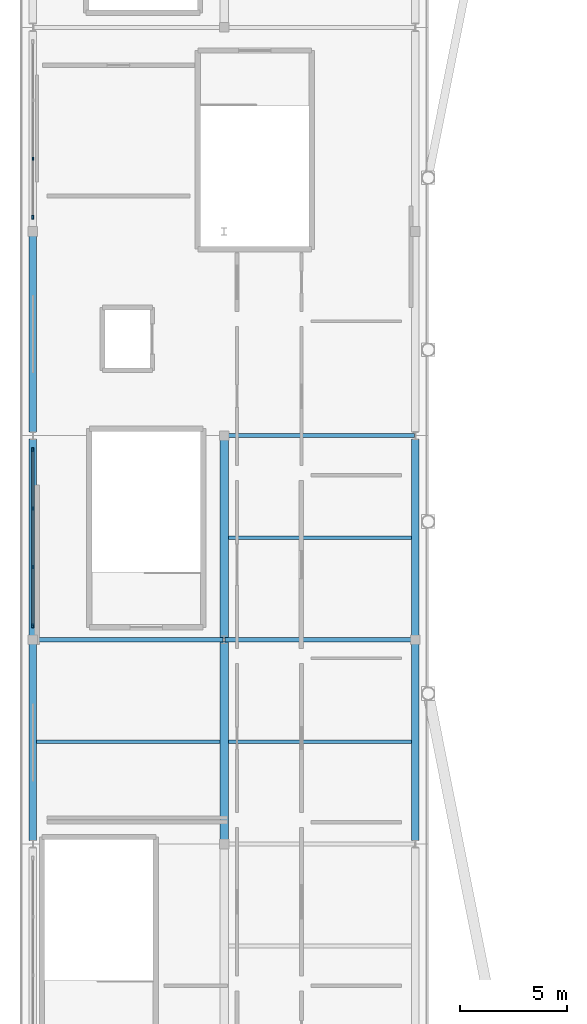
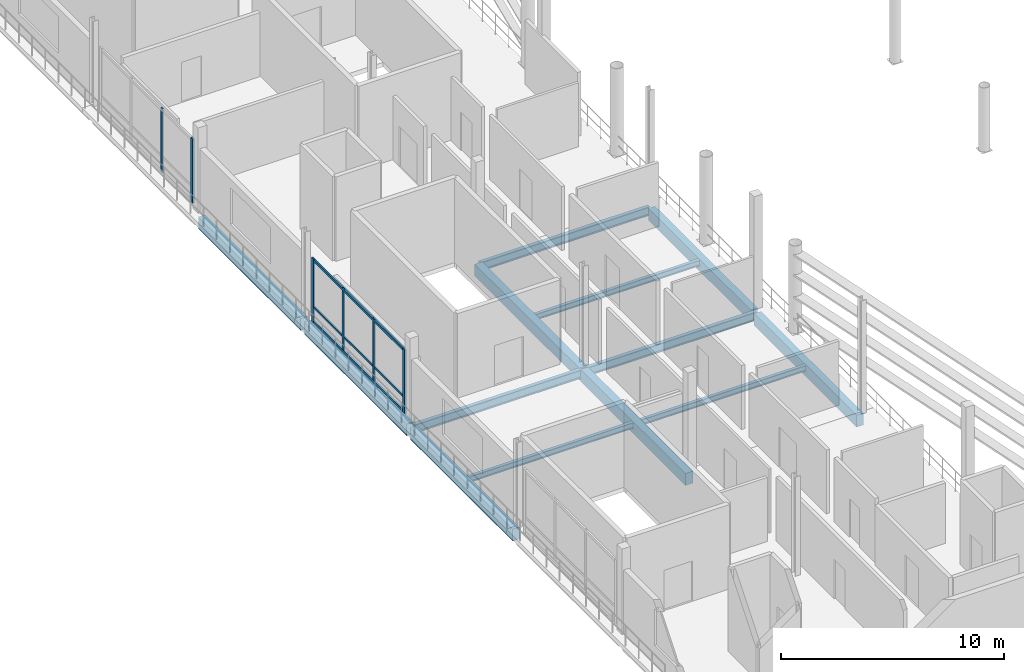
# One storey, part 17 of 29: 13 beams, 9 members, 2 elements without a shape of their own.
"""IFC4 building model written with IfcOpenShell, lengths in metres."""

from ifc_helpers import new_model, si_unit, direction, frame, origin, origin_2d, place, context, subcontext, project, spatial, rectangle, i_section, extrude, material, material_profile, profile_set, type_object, element, aggregate, save


model = new_model("IFC4")

# Units and contexts
model_context = context("Model", 3, precision=1e-05, world=origin(), true_north=direction((0.0, 1.0)))
body_context = subcontext(model_context, "Body", "Model", "MODEL_VIEW")
ifc_project = project(units=[si_unit("LENGTHUNIT", "METRE"), si_unit("AREAUNIT", "SQUARE_METRE"), si_unit("VOLUMEUNIT", "CUBIC_METRE"), si_unit("PLANEANGLEUNIT", "RADIAN"), si_unit("MASSUNIT", "GRAM", prefix="KILO")], contexts=[model_context])

# Site, building, storey
site_placement = place(None, origin())
site = spatial("IfcSite", under=ifc_project, at=site_placement, CompositionType="ELEMENT")
building_placement = place(site_placement, origin())
building = spatial("IfcBuilding", under=site, at=building_placement, Name="Candeia Ridge Stadium", CompositionType="ELEMENT")
storey_placement = place(building_placement, frame((0.0, 0.0, 27.0)))
storey = spatial("IfcBuildingStorey", under=building, at=storey_placement, Name="L05", CompositionType="ELEMENT", Elevation=27.0)

# Curtain wall, members
ifc_material_1 = material(Name="Aluminium Anodized Warm Bronze", Category="aluminium")
curtain_wall_type = type_object("IfcCurtainWallType", Name="West Pavilion Hospitality Curtain Wall", PredefinedType="NOTDEFINED", material=ifc_material_1)
curtain_wall_1_placement = place(storey_placement, origin())
curtain_wall_1 = element("IfcCurtainWall", 1, at=curtain_wall_1_placement, inside=storey, type_object=curtain_wall_type, Name="Unitised curtain wall CW-WNG-L05-099", PredefinedType="NOTDEFINED")
ifc_material_profile_1 = material_profile(ifc_material_1, rectangle(XDim=0.090087890625, YDim=0.179931640625, at=origin_2d()), Name="CWM-90x180", Category="aluminium")
ifc_profile_set_1 = profile_set([ifc_material_profile_1], Name="Aluminium Anodized Warm Bronze")
member_type_1 = type_object("IfcMemberType", Name="Curtain Wall Primary Mullion 90x180", PredefinedType="MULLION", material=ifc_profile_set_1)
member_1_placement = place(storey_placement, frame((0.60009765625, 74.159912109375, 0.0), z_axis=(0.0, 0.0, 1.0), x_axis=(1.0, 0.0, 0.0)))
member_1 = element("IfcMember", 2, at=member_1_placement, type_object=member_type_1, Name="Curtain wall mullion CW-WNG-L05-099-M0", PredefinedType="MULLION", context=body_context, shape_type="SweptSolid", body=[
    extrude(rectangle(XDim=0.090087890625, YDim=0.179931640625, at=origin_2d()), origin(), (0.0, 0.0, 1.0), 3.5),
])
member_2_placement = place(storey_placement, frame((0.60009765625, 82.340087890625, 0.0), z_axis=(0.0, 0.0, 1.0), x_axis=(1.0, 0.0, 0.0)))
member_2 = element("IfcMember", 3, at=member_2_placement, type_object=member_type_1, Name="Curtain wall mullion CW-WNG-L05-099-M3", PredefinedType="MULLION", context=body_context, shape_type="SweptSolid", body=[
    extrude(rectangle(XDim=0.090087890625, YDim=0.179931640625, at=origin_2d()), origin(), (0.0, 0.0, 1.0), 3.5),
])

# Curtain wall, member
curtain_wall_2_placement = place(storey_placement, origin())
curtain_wall_2 = element("IfcCurtainWall", 4, at=curtain_wall_2_placement, inside=storey, type_object=curtain_wall_type, Name="Unitised curtain wall CW-WNG-L05-100", PredefinedType="NOTDEFINED")
member_3_placement = place(storey_placement, frame((0.60009765625, 93.159912109375, 0.0), z_axis=(0.0, 0.0, 1.0), x_axis=(1.0, 0.0, 0.0)))
member_3 = element("IfcMember", 5, at=member_3_placement, type_object=member_type_1, Name="Curtain wall mullion CW-WNG-L05-100-M0", PredefinedType="MULLION", context=body_context, shape_type="SweptSolid", body=[
    extrude(rectangle(XDim=0.090087890625, YDim=0.179931640625, at=origin_2d()), origin(), (0.0, 0.0, 1.0), 3.5),
])

# Member
ifc_material_profile_2 = material_profile(ifc_material_1, rectangle(XDim=0.074951171875, YDim=0.14990234375, at=origin_2d()), Name="CWM-75x150", Category="aluminium")
ifc_profile_set_2 = profile_set([ifc_material_profile_2], Name="Aluminium Anodized Warm Bronze")
member_type_2 = type_object("IfcMemberType", Name="Curtain Wall Secondary Mullion 75x150", PredefinedType="MULLION", material=ifc_profile_set_2)
member_4_placement = place(storey_placement, frame((0.60009765625, 76.88671875, 0.0), z_axis=(0.0, 0.0, 1.0), x_axis=(1.0, 0.0, 0.0)))
member_4 = element("IfcMember", 6, at=member_4_placement, type_object=member_type_2, Name="Curtain wall mullion CW-WNG-L05-099-M1", PredefinedType="MULLION", context=body_context, shape_type="SweptSolid", body=[
    extrude(rectangle(XDim=0.074951171875, YDim=0.14990234375, at=origin_2d()), origin(), (0.0, 0.0, 1.0), 3.5),
])

member_5_placement = place(storey_placement, frame((0.60009765625, 79.61328125, 0.0), z_axis=(0.0, 0.0, 1.0), x_axis=(1.0, 0.0, 0.0)))
member_5 = element("IfcMember", 7, at=member_5_placement, type_object=member_type_2, Name="Curtain wall mullion CW-WNG-L05-099-M2", PredefinedType="MULLION", context=body_context, shape_type="SweptSolid", body=[
    extrude(rectangle(XDim=0.074951171875, YDim=0.14990234375, at=origin_2d()), origin(), (0.0, 0.0, 1.0), 3.5),
])

member_6_placement = place(storey_placement, frame((0.60009765625, 95.88671875, 0.0), z_axis=(0.0, 0.0, 1.0), x_axis=(1.0, 0.0, 0.0)))
member_6 = element("IfcMember", 8, at=member_6_placement, type_object=member_type_2, Name="Curtain wall mullion CW-WNG-L05-100-M1", PredefinedType="MULLION", context=body_context, shape_type="SweptSolid", body=[
    extrude(rectangle(XDim=0.074951171875, YDim=0.14990234375, at=origin_2d()), origin(), (0.0, 0.0, 1.0), 3.5),
])

aggregate(curtain_wall_2, [member_3, member_6])

ifc_material_profile_3 = material_profile(ifc_material_1, rectangle(XDim=0.074951171875, YDim=0.110107421875, at=origin_2d()), Name="CWT-75x110", Category="aluminium")
ifc_profile_set_3 = profile_set([ifc_material_profile_3], Name="Aluminium Anodized Warm Bronze")
member_type_3 = type_object("IfcMemberType", Name="Curtain Wall Secondary Transom 75x110", PredefinedType="USERDEFINED", material=ifc_profile_set_3)
member_7_placement = place(storey_placement, frame((0.60009765625, 74.159912109375, 0.875), z_axis=(0.0, 1.0, 0.0), x_axis=(-1.0, 0.0, 0.0)))
member_7 = element("IfcMember", 9, at=member_7_placement, type_object=member_type_3, Name="Curtain wall transom CW-WNG-L05-099-T1", ObjectType="TRANSOM", PredefinedType="USERDEFINED", context=body_context, shape_type="SweptSolid", body=[
    extrude(rectangle(XDim=0.074951171875, YDim=0.110107421875, at=origin_2d()), origin(), (0.0, 0.0, 1.0), 8.18017578125),
])

ifc_material_profile_4 = material_profile(ifc_material_1, rectangle(XDim=0.090087890625, YDim=0.139892578125, at=origin_2d()), Name="CWT-90x140", Category="aluminium")
ifc_profile_set_4 = profile_set([ifc_material_profile_4], Name="Aluminium Anodized Warm Bronze")
member_type_4 = type_object("IfcMemberType", Name="Curtain Wall Transom 90x140", PredefinedType="USERDEFINED", material=ifc_profile_set_4)
member_8_placement = place(storey_placement, frame((0.60009765625, 74.159912109375, 0.070068359375), z_axis=(0.0, 1.0, 0.0), x_axis=(-1.0, 0.0, 0.0)))
member_8 = element("IfcMember", 10, at=member_8_placement, type_object=member_type_4, Name="Curtain wall transom CW-WNG-L05-099-T0", ObjectType="TRANSOM", PredefinedType="USERDEFINED", context=body_context, shape_type="SweptSolid", body=[
    extrude(rectangle(XDim=0.090087890625, YDim=0.139892578125, at=origin_2d()), origin(), (0.0, 0.0, 1.0), 8.18017578125),
])

member_9_placement = place(storey_placement, frame((0.60009765625, 74.159912109375, 3.429931640625), z_axis=(0.0, 1.0, 0.0), x_axis=(-1.0, 0.0, 0.0)))
member_9 = element("IfcMember", 11, at=member_9_placement, type_object=member_type_4, Name="Curtain wall transom CW-WNG-L05-099-T2", ObjectType="TRANSOM", PredefinedType="USERDEFINED", context=body_context, shape_type="SweptSolid", body=[
    extrude(rectangle(XDim=0.090087890625, YDim=0.139892578125, at=origin_2d()), origin(), (0.0, 0.0, 1.0), 8.18017578125),
])

aggregate(curtain_wall_1, [member_1, member_4, member_5, member_2, member_8, member_7, member_9])

# Beams
ifc_material_2 = material(Name="Steel ASTM A572 Grade 50", Category="steel")
ifc_material_profile_5 = material_profile(ifc_material_2, i_section(OverallWidth=0.194091796875, OverallDepth=0.468994140625, WebThickness=0.0126953125, FlangeThickness=0.0205078125, FilletRadius=0.012939453125, at=origin_2d()), Name="W460x106", Category="steel")
ifc_profile_set_5 = profile_set([ifc_material_profile_5], Name="Steel ASTM A572 Grade 50")
beam_type_1 = type_object("IfcBeamType", Name="Gondola Primary Girder W460x106", PredefinedType="BEAM", material=ifc_profile_set_5)
for number, where, z_axis, x_axis, name in (
    (12, (0.64990234375, 73.5, -0.484619140625), (1.0, 0.0, 0.0), (0.0, 1.0, 0.0), "Structural girder BM-L05-1392"),
    (13, (9.550048828125, 73.5, -0.484619140625), (1.0, 0.0, 0.0), (0.0, 1.0, 0.0), "Structural girder BM-L05-1408"),
    (14, (9.550048828125, 83.0, -0.484619140625), (1.0, 0.0, 0.0), (0.0, 1.0, 0.0), "Structural girder BM-L05-1410"),
):
    element("IfcBeam", number, at=place(storey_placement, frame(where, z_axis=z_axis, x_axis=x_axis)), inside=storey, type_object=beam_type_1, Name=name, PredefinedType="BEAM", context=body_context, shape_type="SweptSolid", body=[
        extrude(i_section(OverallWidth=0.194091796875, OverallDepth=0.468994140625, WebThickness=0.0126953125, FlangeThickness=0.0205078125, FilletRadius=0.012939453125, at=origin_2d()), origin(), (0.0, 0.0, 1.0), 8.800048828125),
    ])
ifc_material_profile_6 = material_profile(ifc_material_2, i_section(OverallWidth=0.1669921875, OverallDepth=0.31689453125, WebThickness=0.007568359375, FlangeThickness=0.01318359375, FilletRadius=0.011962890625, at=origin_2d()), Name="W310x52", Category="steel")
ifc_profile_set_6 = profile_set([ifc_material_profile_6], Name="Steel ASTM A572 Grade 50")
beam_type_2 = type_object("IfcBeamType", Name="Pavilion Secondary Joist W310x52", PredefinedType="JOIST", material=ifc_profile_set_6)
for number, where, z_axis, x_axis, name in (
    (15, (0.7744140625, 68.75, -0.408447265625), (1.0, 0.0, 0.0), (0.0, 1.0, 0.0), "Wing secondary joist BM-L05-1391"),
    (16, (9.699462890625, 68.75, -0.408447265625), (1.0, 0.0, 0.0), (0.0, 1.0, 0.0), "Wing secondary joist BM-L05-1407"),
    (17, (9.699462890625, 78.25, -0.408447265625), (1.0, 0.0, 0.0), (0.0, 1.0, 0.0), "Wing secondary joist BM-L05-1409"),
):
    element("IfcBeam", number, at=place(storey_placement, frame(where, z_axis=z_axis, x_axis=x_axis)), inside=storey, type_object=beam_type_2, Name=name, PredefinedType="JOIST", context=body_context, shape_type="SweptSolid", body=[
        extrude(i_section(OverallWidth=0.1669921875, OverallDepth=0.31689453125, WebThickness=0.007568359375, FlangeThickness=0.01318359375, FilletRadius=0.011962890625, at=origin_2d()), origin(), (0.0, 0.0, 1.0), 8.526123046875),
    ])
ifc_material_3 = material(Name="Concrete C40/50", Category="concrete")
ifc_material_profile_7 = material_profile(ifc_material_3, rectangle(XDim=0.35009765625, YDim=0.64990234375, at=origin_2d()), Name="RC350x650", Category="concrete")
ifc_profile_set_7 = profile_set([ifc_material_profile_7], Name="Concrete C40/50")
beam_type_3 = type_object("IfcBeamType", Name="Spandrel Beam RC350x650", PredefinedType="SPANDREL", material=ifc_profile_set_7)
for number, where, z_axis, x_axis, name in (
    (18, (0.60009765625, 64.159912109375, -0.574951171875), (0.0, 1.0, 0.0), (-1.0, 0.0, 0.0), "Structural girder BM-L05-1357"),
    (19, (0.60009765625, 73.659912109375, -0.574951171875), (0.0, 1.0, 0.0), (-1.0, 0.0, 0.0), "Structural girder BM-L05-1358"),
    (20, (0.60009765625, 83.159912109375, -0.574951171875), (0.0, 1.0, 0.0), (-1.0, 0.0, 0.0), "Structural girder BM-L05-1359"),
    (21, (18.39990234375, 64.159912109375, -0.574951171875), (0.0, 1.0, 0.0), (-1.0, 0.0, 0.0), "Structural girder BM-L05-1378"),
    (22, (18.39990234375, 73.659912109375, -0.574951171875), (0.0, 1.0, 0.0), (-1.0, 0.0, 0.0), "Structural girder BM-L05-1379"),
):
    element("IfcBeam", number, at=place(storey_placement, frame(where, z_axis=z_axis, x_axis=x_axis)), inside=storey, type_object=beam_type_3, Name=name, PredefinedType="SPANDREL", context=body_context, shape_type="SweptSolid", body=[
        extrude(rectangle(XDim=0.35009765625, YDim=0.64990234375, at=origin_2d()), origin(), (0.0, 0.0, 1.0), 9.18017578125),
    ])
ifc_material_profile_8 = material_profile(ifc_material_3, rectangle(XDim=0.39990234375, YDim=0.64990234375, at=origin_2d()), Name="RC400x650", Category="concrete")
ifc_profile_set_8 = profile_set([ifc_material_profile_8], Name="Concrete C40/50")
beam_type_4 = type_object("IfcBeamType", Name="Wing Primary Girder RC400x650", PredefinedType="BEAM", material=ifc_profile_set_8)
for number, where, z_axis, x_axis, name in (
    (23, (9.5, 64.050048828125, -0.574951171875), (0.0, 1.0, 0.0), (-1.0, 0.0, 0.0), "Structural girder BM-L05-1369"),
    (24, (9.5, 73.550048828125, -0.574951171875), (0.0, 1.0, 0.0), (-1.0, 0.0, 0.0), "Structural girder BM-L05-1370"),
):
    element("IfcBeam", number, at=place(storey_placement, frame(where, z_axis=z_axis, x_axis=x_axis)), inside=storey, type_object=beam_type_4, Name=name, PredefinedType="BEAM", context=body_context, shape_type="SweptSolid", body=[
        extrude(rectangle(XDim=0.39990234375, YDim=0.64990234375, at=origin_2d()), origin(), (0.0, 0.0, 1.0), 9.39990234375),
    ])

save(model, "model.ifc")
